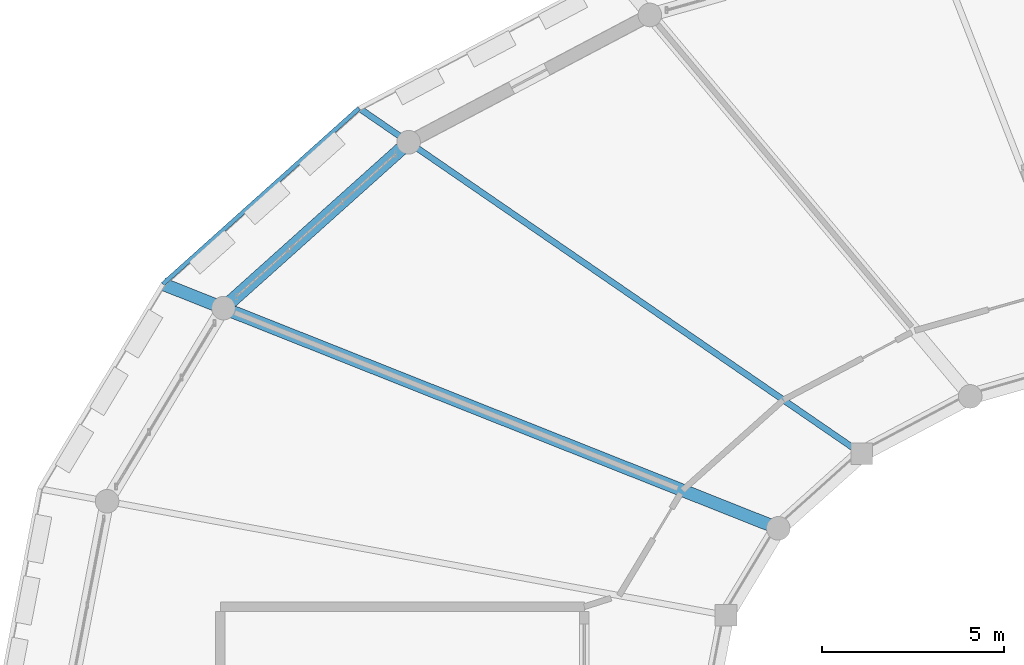
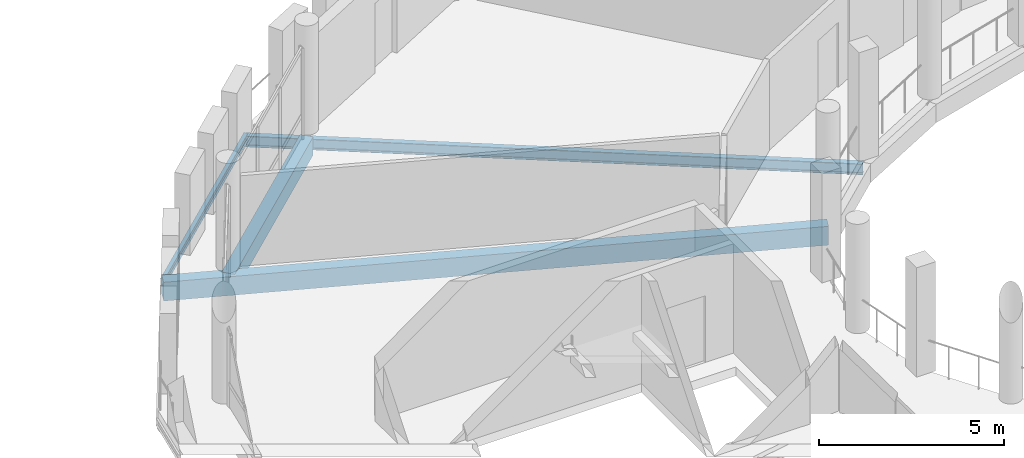
# One storey, part 40 of 93: 4 beams.
"""IFC4 building model written with IfcOpenShell, lengths in metres."""

from ifc_helpers import new_model, si_unit, direction, frame, origin, origin_2d, place, context, subcontext, project, spatial, rectangle, i_section, extrude, material, material_profile, profile_set, type_object, element, save


model = new_model("IFC4")

# Units and contexts
model_context = context("Model", 3, precision=1e-05, world=origin(), true_north=direction((0.0, 1.0)))
body_context = subcontext(model_context, "Body", "Model", "MODEL_VIEW")
ifc_project = project(units=[si_unit("LENGTHUNIT", "METRE"), si_unit("AREAUNIT", "SQUARE_METRE"), si_unit("VOLUMEUNIT", "CUBIC_METRE"), si_unit("PLANEANGLEUNIT", "RADIAN"), si_unit("MASSUNIT", "GRAM", prefix="KILO")], contexts=[model_context])

# Site, building, storey
site_placement = place(None, origin())
site = spatial("IfcSite", under=ifc_project, at=site_placement, CompositionType="ELEMENT")
building_placement = place(site_placement, origin())
building = spatial("IfcBuilding", under=site, at=building_placement, Name="Zornivar Specialist Clinic", CompositionType="ELEMENT")
storey_placement = place(building_placement, frame((0.0, 0.0, 8.39990234375)))
storey = spatial("IfcBuildingStorey", under=building, at=storey_placement, Name="L02", CompositionType="ELEMENT", Elevation=8.39990234375)

# Beams
ifc_material_1 = material(Name="Concrete C30/37", Category="concrete")
ifc_material_profile_1 = material_profile(ifc_material_1, rectangle(XDim=0.35009765625, YDim=0.6201171875, at=origin_2d()), Name="RC 350x620")
ifc_profile_set_1 = profile_set([ifc_material_profile_1], Name="Concrete C30/37")
beam_type_1 = type_object("IfcBeamType", Name="BM-RC-CANT-350x620", PredefinedType="BEAM", material=ifc_profile_set_1)
beam_1_placement = place(storey_placement, frame((81.12890625, 62.550048828125, -0.5498046875), z_axis=(-0.929458420314, 0.368926882873, 0.0), x_axis=(-0.368926882873, -0.929458420314, 0.0)))
element("IfcBeam", 1, at=beam_1_placement, inside=storey, type_object=beam_type_1, Name="bm:V1:L02:radcant:10", PredefinedType="BEAM", context=body_context, shape_type="SweptSolid", body=[
    extrude(rectangle(XDim=0.35009765625, YDim=0.6201171875, at=origin_2d()), origin(), (0.0, 0.0, 1.0), 18.187744140625),
])
ifc_material_2 = material(Name="Concrete C30/37", Category="concrete")
ifc_material_profile_2 = material_profile(ifc_material_2, rectangle(XDim=0.3701171875, YDim=0.60009765625, at=origin_2d()), Name="RC 370x600")
ifc_profile_set_2 = profile_set([ifc_material_profile_2], Name="Concrete C30/37")
beam_type_2 = type_object("IfcBeamType", Name="BM-RC-SPANDREL-370x600", PredefinedType="SPANDREL", material=ifc_profile_set_2)
beam_2_placement = place(storey_placement, frame((70.972900390625, 73.156005859375, -0.539794921875), z_axis=(-0.744853105459, -0.66722848507, 0.0), x_axis=(0.66722848507, -0.744853105459, 0.0)))
element("IfcBeam", 2, at=beam_2_placement, inside=storey, type_object=beam_type_2, Name="bm:V1:L02:outring:09", PredefinedType="SPANDREL", context=body_context, shape_type="SweptSolid", body=[
    extrude(rectangle(XDim=0.3701171875, YDim=0.60009765625, at=origin_2d()), origin(), (0.0, 0.0, 1.0), 6.828125),
])
ifc_material_3 = material(Name="Steel S355J2", Category="steel")
ifc_material_profile_3 = material_profile(ifc_material_3, i_section(OverallWidth=0.1201171875, OverallDepth=0.239990234375, WebThickness=0.006103515625, FlangeThickness=0.009765625, FilletRadius=0.014892578125, at=origin_2d()), Name="IPE 240")
ifc_profile_set_3 = profile_set([ifc_material_profile_3], Name="Steel S355J2")
beam_type_3 = type_object("IfcBeamType", Name="BM-STL-IPE240", PredefinedType="JOIST", material=ifc_profile_set_3)
beam_3_placement = place(storey_placement, frame((69.614990234375, 74.090087890625, -0.35986328125), z_axis=(-0.744783297449, -0.667306406264, 0.0), x_axis=(0.667306406264, -0.744783297449, 0.0)))
element("IfcBeam", 3, at=beam_3_placement, inside=storey, type_object=beam_type_3, Name="bm:V1:L02:balring:09", PredefinedType="JOIST", context=body_context, shape_type="SweptSolid", body=[
    extrude(i_section(OverallWidth=0.1201171875, OverallDepth=0.239990234375, WebThickness=0.006103515625, FlangeThickness=0.009765625, FilletRadius=0.014892578125, at=origin_2d()), origin(), (0.0, 0.0, 1.0), 7.23828125),
])
ifc_material_4 = material(Name="Steel S355J2", Category="steel")
ifc_material_profile_4 = material_profile(ifc_material_4, i_section(OverallWidth=0.169921875, OverallDepth=0.360107421875, WebThickness=0.008056640625, FlangeThickness=0.0126953125, FilletRadius=0.01806640625, at=origin_2d()), Name="IPE 360")
ifc_profile_set_4 = profile_set([ifc_material_profile_4], Name="Steel S355J2")
beam_type_4 = type_object("IfcBeamType", Name="BM-STL-IPE360", PredefinedType="BEAM", material=ifc_profile_set_4)
beam_4_placement = place(storey_placement, frame((83.41796875, 64.60009765625, -0.469970703125), z_axis=(-0.82402959127, 0.566546761276, 0.0), x_axis=(-0.566546761276, -0.82402959127, 0.0)))
element("IfcBeam", 4, at=beam_4_placement, inside=storey, type_object=beam_type_4, Name="bm:V1:L02:radmid:09", PredefinedType="BEAM", context=body_context, shape_type="SweptSolid", body=[
    extrude(i_section(OverallWidth=0.169921875, OverallDepth=0.360107421875, WebThickness=0.008056640625, FlangeThickness=0.0126953125, FilletRadius=0.01806640625, at=origin_2d()), origin(), (0.0, 0.0, 1.0), 16.75048828125),
])

save(model, "model.ifc")
